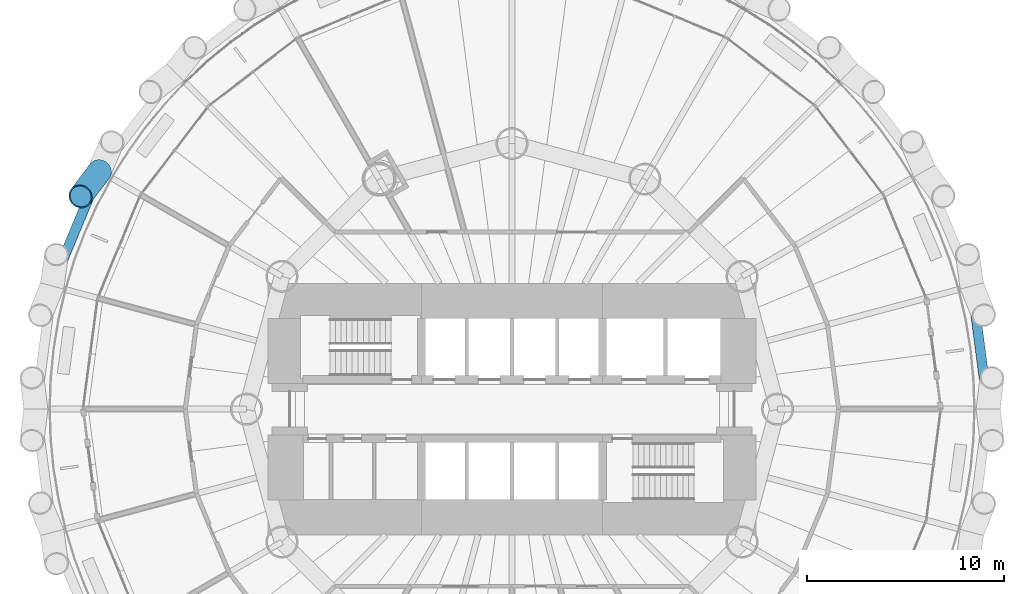
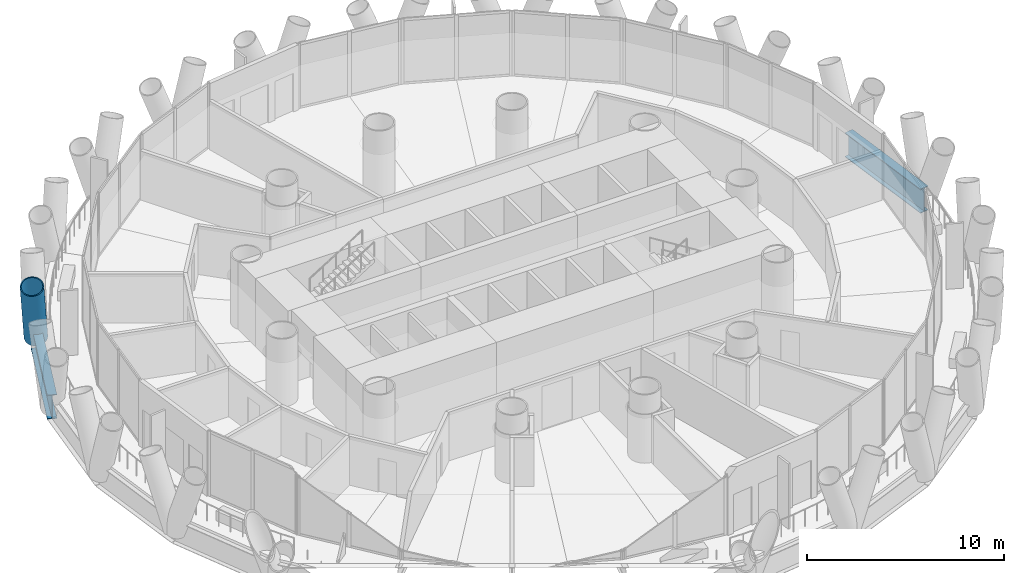
# One storey, part 5 of 16: 2 beams, 1 member.
"""IFC4 building model written with IfcOpenShell, lengths in metres."""

from ifc_helpers import new_model, si_unit, direction, frame, origin, origin_2d, place, context, subcontext, project, spatial, hollow_circle, i_section, extrude, material, material_profile, profile_set, type_object, element, save


model = new_model("IFC4")

# Units and contexts
model_context = context("Model", 3, precision=1e-05, world=origin(), true_north=direction((0.0, 1.0)))
body_context = subcontext(model_context, "Body", "Model", "MODEL_VIEW")
ifc_project = project(units=[si_unit("LENGTHUNIT", "METRE"), si_unit("AREAUNIT", "SQUARE_METRE"), si_unit("VOLUMEUNIT", "CUBIC_METRE"), si_unit("PLANEANGLEUNIT", "RADIAN"), si_unit("MASSUNIT", "GRAM", prefix="KILO")], contexts=[model_context])

# Site, building, storey
site_placement = place(None, origin())
site = spatial("IfcSite", under=ifc_project, at=site_placement, CompositionType="ELEMENT")
building_placement = place(site_placement, origin())
building = spatial("IfcBuilding", under=site, at=building_placement, Name="Qaws Media Tower", CompositionType="ELEMENT")
storey_placement = place(building_placement, frame((0.0, 0.0, 42.800048828125)))
storey = spatial("IfcBuildingStorey", under=building, at=storey_placement, Name="L08", CompositionType="ELEMENT", Elevation=42.800048828125)

# Member
ifc_material_1 = material(Name="Steel S460", Category="steel")
ifc_material_profile_1 = material_profile(ifc_material_1, hollow_circle(Radius=0.609619140625, WallThickness=0.06005859375, at=origin_2d()), Name="CHS 1219x60")
ifc_profile_set_1 = profile_set([ifc_material_profile_1], Name="Steel S460")
member_type = type_object("IfcMemberType", Name="Diagrid member CHS 1219x60", PredefinedType="USERDEFINED", material=ifc_profile_set_1)
member_placement = place(storey_placement, frame((39.042236328125, 62.10009765625, -0.91015625), z_axis=(-0.215775520253, -0.285891710436, 0.933652427172), x_axis=(0.79817815346, -0.602421476492, 0.0)))
element("IfcMember", 1, at=member_placement, inside=storey, type_object=member_type, Name="DG1 diagrid L08 A11", ObjectType="DIAGRID", PredefinedType="USERDEFINED", context=body_context, shape_type="SweptSolid", body=[
    extrude(hollow_circle(Radius=0.609619140625, WallThickness=0.06005859375, at=origin_2d()), origin(), (0.0, 0.0, 1.0), 4.498779296875),
])

# Beams
ifc_material_2 = material(Name="Steel S460", Category="steel")
ifc_material_profile_2 = material_profile(ifc_material_2, i_section(OverallWidth=0.5, OverallDepth=1.5, WebThickness=0.02001953125, FlangeThickness=0.0400390625, at=origin_2d()), Name="PG 1500x500")
ifc_profile_set_2 = profile_set([ifc_material_profile_2], Name="Steel S460")
beam_type = type_object("IfcBeamType", Name="Edge ring beam PG 1500x500", PredefinedType="BEAM", material=ifc_profile_set_2)
beam_1_placement = place(storey_placement, frame((84.199951171875, 50.0, -0.91015625), z_axis=(-0.130505495907, 0.991447585875, 0.0), x_axis=(-0.991447585875, -0.130505495907, 0.0)))
element("IfcBeam", 2, at=beam_1_placement, inside=storey, type_object=beam_type, Name="RB4 edge ring beam L08-01", PredefinedType="BEAM", context=body_context, shape_type="SweptSolid", body=[
    extrude(i_section(OverallWidth=0.5, OverallDepth=1.5, WebThickness=0.02001953125, FlangeThickness=0.0400390625, at=origin_2d()), origin(), (0.0, 0.0, 1.0), 6.3173828125),
])
beam_2_placement = place(storey_placement, frame((39.042236328125, 62.10009765625, -0.91015625), z_axis=(-0.382696506463, -0.923874116934, 0.0), x_axis=(0.923874116934, -0.382696506463, 0.0)))
element("IfcBeam", 3, at=beam_2_placement, inside=storey, type_object=beam_type, Name="RB4 edge ring beam L08-11", PredefinedType="BEAM", context=body_context, shape_type="SweptSolid", body=[
    extrude(i_section(OverallWidth=0.5, OverallDepth=1.5, WebThickness=0.02001953125, FlangeThickness=0.0400390625, at=origin_2d()), origin(), (0.0, 0.0, 1.0), 6.317626953125),
])

save(model, "model.ifc")
